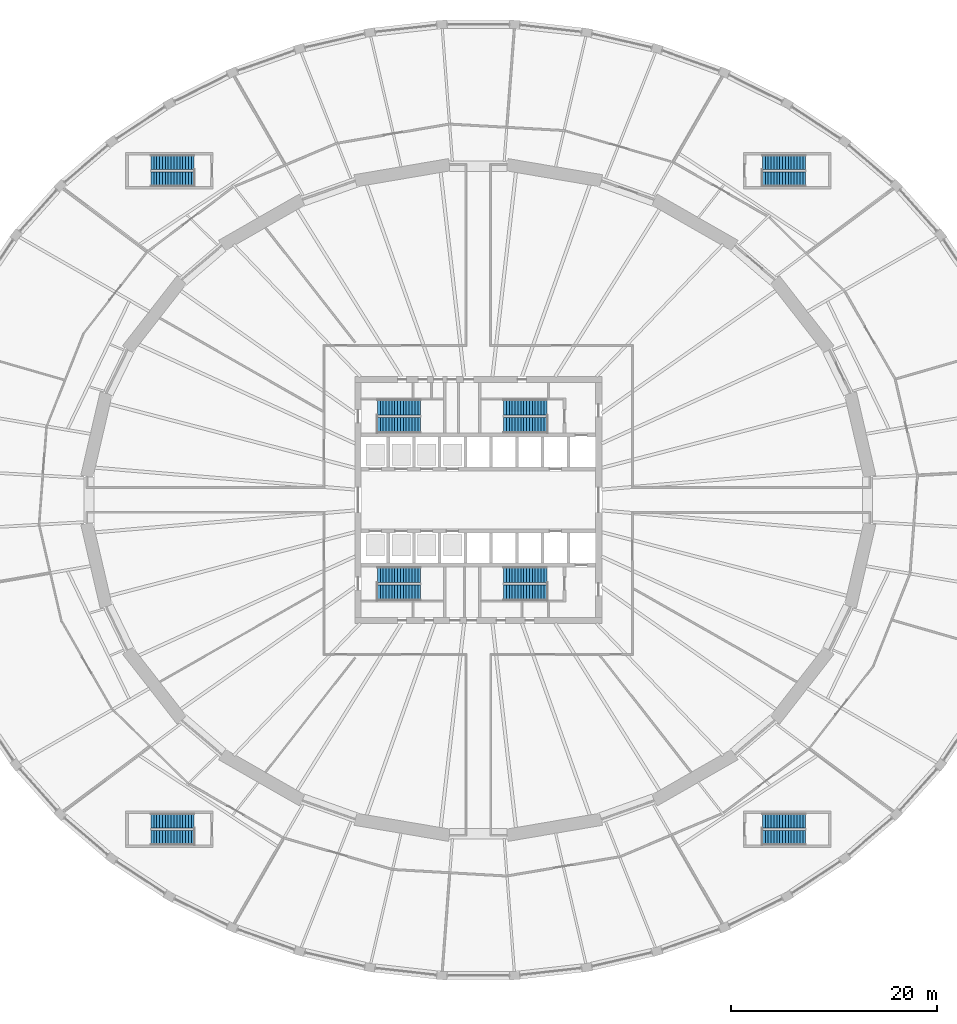
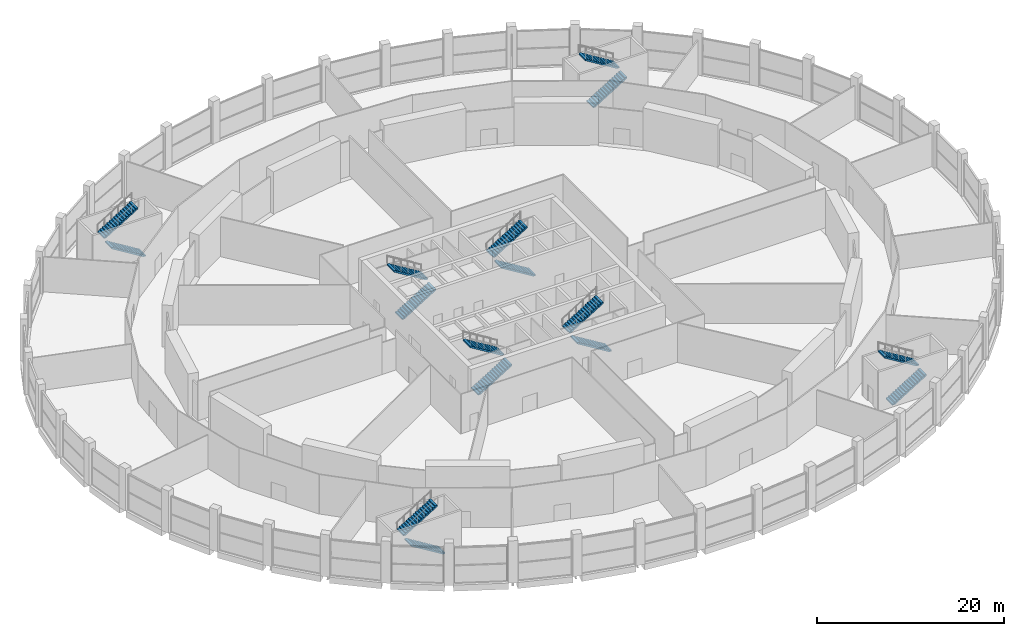
# One storey, part 26 of 29: 16 stair flights, 8 elements without a shape of their own.
"""IFC4 building model written with IfcOpenShell, lengths in metres."""

from ifc_helpers import new_model, si_unit, direction, frame, origin, place, context, subcontext, project, spatial, polyline, outline, extrude, material, type_object, element, aggregate, save


model = new_model("IFC4")

# Units and contexts
model_context = context("Model", 3, precision=1e-05, world=origin(), true_north=direction((0.0, 1.0)))
body_context = subcontext(model_context, "Body", "Model", "MODEL_VIEW")
ifc_project = project(units=[si_unit("LENGTHUNIT", "METRE"), si_unit("AREAUNIT", "SQUARE_METRE"), si_unit("VOLUMEUNIT", "CUBIC_METRE"), si_unit("PLANEANGLEUNIT", "RADIAN"), si_unit("MASSUNIT", "GRAM", prefix="KILO")], contexts=[model_context])

# Site, building, storey
site_placement = place(None, origin())
site = spatial("IfcSite", under=ifc_project, at=site_placement, CompositionType="ELEMENT")
building_placement = place(site_placement, origin())
building = spatial("IfcBuilding", under=site, at=building_placement, Name="Halqa Exchange Tower", CompositionType="ELEMENT")
storey_placement = place(building_placement, frame((0.0, 0.0, 7.0)))
storey = spatial("IfcBuildingStorey", under=building, at=storey_placement, Name="L01", CompositionType="ELEMENT", Elevation=7.0)

# Stair, stair flights
ifc_material = material(Name="Concrete C30/37", Category="concrete")
stair_type_1 = type_object("IfcStairType", Name="Exit stair 1400 wide", PredefinedType="HALF_TURN_STAIR", material=ifc_material)
stair_1_placement = place(storey_placement, origin())
stair_1 = element("IfcStair", 1, at=stair_1_placement, inside=storey, type_object=stair_type_1, Name="Exit stair PS1", PredefinedType="HALF_TURN_STAIR")
stair_flight_type_1 = type_object("IfcStairFlightType", Name="Stair flight 1400 wide", PredefinedType="STRAIGHT", material=ifc_material)
stair_flight_1_placement = place(storey_placement, frame((27.60009765625, 31.175048828125, 0.0), z_axis=(0.0, 0.0, 1.0), x_axis=(1.0, 0.0, 0.0)))
stair_flight_1 = element("IfcStairFlight", 2, at=stair_flight_1_placement, type_object=stair_flight_type_1, Name="PS1 flight 1", NumberOfRisers=16, NumberOfTreads=15, PredefinedType="STRAIGHT", RiserHeight=0.171875, TreadLength=0.28, context=body_context, shape_type="SweptSolid", body=[
    extrude(outline(polyline([(0.0, 0.0), (0.0, 0.171875), (0.280029296875, 0.171875), (0.280029296875, 0.34375), (0.56005859375, 0.34375), (0.56005859375, 0.515625), (0.840087890625, 0.515625), (0.840087890625, 0.6875), (1.1201171875, 0.6875), (1.1201171875, 0.859375), (1.39990234375, 0.859375), (1.39990234375, 1.03125), (1.679931640625, 1.03125), (1.679931640625, 1.203125), (1.9599609375, 1.203125), (1.9599609375, 1.375), (2.239990234375, 1.375), (2.239990234375, 1.546875), (2.52001953125, 1.546875), (2.52001953125, 1.71875), (2.800048828125, 1.71875), (2.800048828125, 1.890625), (3.080078125, 1.890625), (3.080078125, 2.0625), (3.360107421875, 2.0625), (3.360107421875, 2.234375), (3.639892578125, 2.234375), (3.639892578125, 2.40625), (3.919921875, 2.40625), (3.919921875, 2.578125), (4.199951171875, 2.578125), (4.199951171875, 2.75), (4.199951171875, 2.40234375), (0.28662109375, 0.0), (0.0, 0.0)])), frame((0.0, 0.699951171875, 0.0), z_axis=(0.0, -1.0, 0.0), x_axis=(1.0, 0.0, 0.0)), (0.0, 0.0, 1.0), 1.39990234375),
])
stair_flight_2_placement = place(storey_placement, frame((31.800048828125, 32.824951171875, 2.75), z_axis=(0.0, 0.0, 1.0), x_axis=(-1.0, 0.0, 0.0)))
stair_flight_2 = element("IfcStairFlight", 3, at=stair_flight_2_placement, type_object=stair_flight_type_1, Name="PS1 flight 2", NumberOfRisers=16, NumberOfTreads=15, PredefinedType="STRAIGHT", RiserHeight=0.171875, TreadLength=0.28, context=body_context, shape_type="SweptSolid", body=[
    extrude(outline(polyline([(0.0, 0.0), (0.0, 0.171875), (0.280029296875, 0.171875), (0.280029296875, 0.34375), (0.56005859375, 0.34375), (0.56005859375, 0.515625), (0.840087890625, 0.515625), (0.840087890625, 0.6875), (1.1201171875, 0.6875), (1.1201171875, 0.859375), (1.39990234375, 0.859375), (1.39990234375, 1.03125), (1.679931640625, 1.03125), (1.679931640625, 1.203125), (1.9599609375, 1.203125), (1.9599609375, 1.375), (2.239990234375, 1.375), (2.239990234375, 1.546875), (2.52001953125, 1.546875), (2.52001953125, 1.71875), (2.800048828125, 1.71875), (2.800048828125, 1.890625), (3.080078125, 1.890625), (3.080078125, 2.0625), (3.360107421875, 2.0625), (3.360107421875, 2.234375), (3.639892578125, 2.234375), (3.639892578125, 2.40625), (3.919921875, 2.40625), (3.919921875, 2.578125), (4.199951171875, 2.578125), (4.199951171875, 2.75), (4.199951171875, 2.40234375), (0.28662109375, 0.0), (0.0, 0.0)])), frame((0.0, 0.699951171875, 0.0), z_axis=(0.0, -1.0, 0.0), x_axis=(1.0, 0.0, 0.0)), (0.0, 0.0, 1.0), 1.39990234375),
])
aggregate(stair_1, [stair_flight_1, stair_flight_2])

stair_2_placement = place(storey_placement, origin())
stair_2 = element("IfcStair", 4, at=stair_2_placement, inside=storey, type_object=stair_type_1, Name="Exit stair PS2", PredefinedType="HALF_TURN_STAIR")
stair_flight_3_placement = place(storey_placement, frame((27.60009765625, -32.824951171875, 0.0), z_axis=(0.0, 0.0, 1.0), x_axis=(1.0, 0.0, 0.0)))
stair_flight_3 = element("IfcStairFlight", 5, at=stair_flight_3_placement, type_object=stair_flight_type_1, Name="PS2 flight 1", NumberOfRisers=16, NumberOfTreads=15, PredefinedType="STRAIGHT", RiserHeight=0.171875, TreadLength=0.28, context=body_context, shape_type="SweptSolid", body=[
    extrude(outline(polyline([(0.0, 0.0), (0.0, 0.171875), (0.280029296875, 0.171875), (0.280029296875, 0.34375), (0.56005859375, 0.34375), (0.56005859375, 0.515625), (0.840087890625, 0.515625), (0.840087890625, 0.6875), (1.1201171875, 0.6875), (1.1201171875, 0.859375), (1.39990234375, 0.859375), (1.39990234375, 1.03125), (1.679931640625, 1.03125), (1.679931640625, 1.203125), (1.9599609375, 1.203125), (1.9599609375, 1.375), (2.239990234375, 1.375), (2.239990234375, 1.546875), (2.52001953125, 1.546875), (2.52001953125, 1.71875), (2.800048828125, 1.71875), (2.800048828125, 1.890625), (3.080078125, 1.890625), (3.080078125, 2.0625), (3.360107421875, 2.0625), (3.360107421875, 2.234375), (3.639892578125, 2.234375), (3.639892578125, 2.40625), (3.919921875, 2.40625), (3.919921875, 2.578125), (4.199951171875, 2.578125), (4.199951171875, 2.75), (4.199951171875, 2.40234375), (0.28662109375, 0.0), (0.0, 0.0)])), frame((0.0, 0.699951171875, 0.0), z_axis=(0.0, -1.0, 0.0), x_axis=(1.0, 0.0, 0.0)), (0.0, 0.0, 1.0), 1.39990234375),
])
stair_flight_4_placement = place(storey_placement, frame((31.800048828125, -31.175048828125, 2.75), z_axis=(0.0, 0.0, 1.0), x_axis=(-1.0, 0.0, 0.0)))
stair_flight_4 = element("IfcStairFlight", 6, at=stair_flight_4_placement, type_object=stair_flight_type_1, Name="PS2 flight 2", NumberOfRisers=16, NumberOfTreads=15, PredefinedType="STRAIGHT", RiserHeight=0.171875, TreadLength=0.28, context=body_context, shape_type="SweptSolid", body=[
    extrude(outline(polyline([(0.0, 0.0), (0.0, 0.171875), (0.280029296875, 0.171875), (0.280029296875, 0.34375), (0.56005859375, 0.34375), (0.56005859375, 0.515625), (0.840087890625, 0.515625), (0.840087890625, 0.6875), (1.1201171875, 0.6875), (1.1201171875, 0.859375), (1.39990234375, 0.859375), (1.39990234375, 1.03125), (1.679931640625, 1.03125), (1.679931640625, 1.203125), (1.9599609375, 1.203125), (1.9599609375, 1.375), (2.239990234375, 1.375), (2.239990234375, 1.546875), (2.52001953125, 1.546875), (2.52001953125, 1.71875), (2.800048828125, 1.71875), (2.800048828125, 1.890625), (3.080078125, 1.890625), (3.080078125, 2.0625), (3.360107421875, 2.0625), (3.360107421875, 2.234375), (3.639892578125, 2.234375), (3.639892578125, 2.40625), (3.919921875, 2.40625), (3.919921875, 2.578125), (4.199951171875, 2.578125), (4.199951171875, 2.75), (4.199951171875, 2.40234375), (0.28662109375, 0.0), (0.0, 0.0)])), frame((0.0, 0.699951171875, 0.0), z_axis=(0.0, -1.0, 0.0), x_axis=(1.0, 0.0, 0.0)), (0.0, 0.0, 1.0), 1.39990234375),
])
aggregate(stair_2, [stair_flight_3, stair_flight_4])

stair_3_placement = place(storey_placement, origin())
stair_3 = element("IfcStair", 7, at=stair_3_placement, inside=storey, type_object=stair_type_1, Name="Exit stair PS3", PredefinedType="HALF_TURN_STAIR")
stair_flight_5_placement = place(storey_placement, frame((-27.60009765625, 31.175048828125, 0.0), z_axis=(0.0, 0.0, 1.0), x_axis=(-1.0, 0.0, 0.0)))
stair_flight_5 = element("IfcStairFlight", 8, at=stair_flight_5_placement, type_object=stair_flight_type_1, Name="PS3 flight 1", NumberOfRisers=16, NumberOfTreads=15, PredefinedType="STRAIGHT", RiserHeight=0.171875, TreadLength=0.28, context=body_context, shape_type="SweptSolid", body=[
    extrude(outline(polyline([(0.0, 0.0), (0.0, 0.171875), (0.280029296875, 0.171875), (0.280029296875, 0.34375), (0.56005859375, 0.34375), (0.56005859375, 0.515625), (0.840087890625, 0.515625), (0.840087890625, 0.6875), (1.1201171875, 0.6875), (1.1201171875, 0.859375), (1.39990234375, 0.859375), (1.39990234375, 1.03125), (1.679931640625, 1.03125), (1.679931640625, 1.203125), (1.9599609375, 1.203125), (1.9599609375, 1.375), (2.239990234375, 1.375), (2.239990234375, 1.546875), (2.52001953125, 1.546875), (2.52001953125, 1.71875), (2.800048828125, 1.71875), (2.800048828125, 1.890625), (3.080078125, 1.890625), (3.080078125, 2.0625), (3.360107421875, 2.0625), (3.360107421875, 2.234375), (3.639892578125, 2.234375), (3.639892578125, 2.40625), (3.919921875, 2.40625), (3.919921875, 2.578125), (4.199951171875, 2.578125), (4.199951171875, 2.75), (4.199951171875, 2.40234375), (0.28662109375, 0.0), (0.0, 0.0)])), frame((0.0, 0.699951171875, 0.0), z_axis=(0.0, -1.0, 0.0), x_axis=(1.0, 0.0, 0.0)), (0.0, 0.0, 1.0), 1.39990234375),
])
stair_flight_6_placement = place(storey_placement, frame((-31.800048828125, 32.824951171875, 2.75), z_axis=(0.0, 0.0, 1.0), x_axis=(1.0, 0.0, 0.0)))
stair_flight_6 = element("IfcStairFlight", 9, at=stair_flight_6_placement, type_object=stair_flight_type_1, Name="PS3 flight 2", NumberOfRisers=16, NumberOfTreads=15, PredefinedType="STRAIGHT", RiserHeight=0.171875, TreadLength=0.28, context=body_context, shape_type="SweptSolid", body=[
    extrude(outline(polyline([(0.0, 0.0), (0.0, 0.171875), (0.280029296875, 0.171875), (0.280029296875, 0.34375), (0.56005859375, 0.34375), (0.56005859375, 0.515625), (0.840087890625, 0.515625), (0.840087890625, 0.6875), (1.1201171875, 0.6875), (1.1201171875, 0.859375), (1.39990234375, 0.859375), (1.39990234375, 1.03125), (1.679931640625, 1.03125), (1.679931640625, 1.203125), (1.9599609375, 1.203125), (1.9599609375, 1.375), (2.239990234375, 1.375), (2.239990234375, 1.546875), (2.52001953125, 1.546875), (2.52001953125, 1.71875), (2.800048828125, 1.71875), (2.800048828125, 1.890625), (3.080078125, 1.890625), (3.080078125, 2.0625), (3.360107421875, 2.0625), (3.360107421875, 2.234375), (3.639892578125, 2.234375), (3.639892578125, 2.40625), (3.919921875, 2.40625), (3.919921875, 2.578125), (4.199951171875, 2.578125), (4.199951171875, 2.75), (4.199951171875, 2.40234375), (0.28662109375, 0.0), (0.0, 0.0)])), frame((0.0, 0.699951171875, 0.0), z_axis=(0.0, -1.0, 0.0), x_axis=(1.0, 0.0, 0.0)), (0.0, 0.0, 1.0), 1.39990234375),
])
aggregate(stair_3, [stair_flight_5, stair_flight_6])

stair_4_placement = place(storey_placement, origin())
stair_4 = element("IfcStair", 10, at=stair_4_placement, inside=storey, type_object=stair_type_1, Name="Exit stair PS4", PredefinedType="HALF_TURN_STAIR")
stair_flight_7_placement = place(storey_placement, frame((-27.60009765625, -32.824951171875, 0.0), z_axis=(0.0, 0.0, 1.0), x_axis=(-1.0, 0.0, 0.0)))
stair_flight_7 = element("IfcStairFlight", 11, at=stair_flight_7_placement, type_object=stair_flight_type_1, Name="PS4 flight 1", NumberOfRisers=16, NumberOfTreads=15, PredefinedType="STRAIGHT", RiserHeight=0.171875, TreadLength=0.28, context=body_context, shape_type="SweptSolid", body=[
    extrude(outline(polyline([(0.0, 0.0), (0.0, 0.171875), (0.280029296875, 0.171875), (0.280029296875, 0.34375), (0.56005859375, 0.34375), (0.56005859375, 0.515625), (0.840087890625, 0.515625), (0.840087890625, 0.6875), (1.1201171875, 0.6875), (1.1201171875, 0.859375), (1.39990234375, 0.859375), (1.39990234375, 1.03125), (1.679931640625, 1.03125), (1.679931640625, 1.203125), (1.9599609375, 1.203125), (1.9599609375, 1.375), (2.239990234375, 1.375), (2.239990234375, 1.546875), (2.52001953125, 1.546875), (2.52001953125, 1.71875), (2.800048828125, 1.71875), (2.800048828125, 1.890625), (3.080078125, 1.890625), (3.080078125, 2.0625), (3.360107421875, 2.0625), (3.360107421875, 2.234375), (3.639892578125, 2.234375), (3.639892578125, 2.40625), (3.919921875, 2.40625), (3.919921875, 2.578125), (4.199951171875, 2.578125), (4.199951171875, 2.75), (4.199951171875, 2.40234375), (0.28662109375, 0.0), (0.0, 0.0)])), frame((0.0, 0.699951171875, 0.0), z_axis=(0.0, -1.0, 0.0), x_axis=(1.0, 0.0, 0.0)), (0.0, 0.0, 1.0), 1.39990234375),
])
stair_flight_8_placement = place(storey_placement, frame((-31.800048828125, -31.175048828125, 2.75), z_axis=(0.0, 0.0, 1.0), x_axis=(1.0, 0.0, 0.0)))
stair_flight_8 = element("IfcStairFlight", 12, at=stair_flight_8_placement, type_object=stair_flight_type_1, Name="PS4 flight 2", NumberOfRisers=16, NumberOfTreads=15, PredefinedType="STRAIGHT", RiserHeight=0.171875, TreadLength=0.28, context=body_context, shape_type="SweptSolid", body=[
    extrude(outline(polyline([(0.0, 0.0), (0.0, 0.171875), (0.280029296875, 0.171875), (0.280029296875, 0.34375), (0.56005859375, 0.34375), (0.56005859375, 0.515625), (0.840087890625, 0.515625), (0.840087890625, 0.6875), (1.1201171875, 0.6875), (1.1201171875, 0.859375), (1.39990234375, 0.859375), (1.39990234375, 1.03125), (1.679931640625, 1.03125), (1.679931640625, 1.203125), (1.9599609375, 1.203125), (1.9599609375, 1.375), (2.239990234375, 1.375), (2.239990234375, 1.546875), (2.52001953125, 1.546875), (2.52001953125, 1.71875), (2.800048828125, 1.71875), (2.800048828125, 1.890625), (3.080078125, 1.890625), (3.080078125, 2.0625), (3.360107421875, 2.0625), (3.360107421875, 2.234375), (3.639892578125, 2.234375), (3.639892578125, 2.40625), (3.919921875, 2.40625), (3.919921875, 2.578125), (4.199951171875, 2.578125), (4.199951171875, 2.75), (4.199951171875, 2.40234375), (0.28662109375, 0.0), (0.0, 0.0)])), frame((0.0, 0.699951171875, 0.0), z_axis=(0.0, -1.0, 0.0), x_axis=(1.0, 0.0, 0.0)), (0.0, 0.0, 1.0), 1.39990234375),
])
aggregate(stair_4, [stair_flight_7, stair_flight_8])

stair_type_2 = type_object("IfcStairType", Name="Exit stair 1500 wide", PredefinedType="HALF_TURN_STAIR", material=ifc_material)
stair_5_placement = place(storey_placement, origin())
stair_5 = element("IfcStair", 13, at=stair_5_placement, inside=storey, type_object=stair_type_2, Name="Exit stair ST1", PredefinedType="HALF_TURN_STAIR")
stair_flight_type_2 = type_object("IfcStairFlightType", Name="Stair flight 1500 wide", PredefinedType="STRAIGHT", material=ifc_material)
stair_flight_9_placement = place(storey_placement, frame((-9.800048828125, 7.25, 0.0), z_axis=(0.0, 0.0, 1.0), x_axis=(1.0, 0.0, 0.0)))
stair_flight_9 = element("IfcStairFlight", 14, at=stair_flight_9_placement, type_object=stair_flight_type_2, Name="ST1 flight 1", NumberOfRisers=16, NumberOfTreads=15, PredefinedType="STRAIGHT", RiserHeight=0.171875, TreadLength=0.28, context=body_context, shape_type="SweptSolid", body=[
    extrude(outline(polyline([(0.0, 0.0), (0.0, 0.171875), (0.280029296875, 0.171875), (0.280029296875, 0.34375), (0.56005859375, 0.34375), (0.56005859375, 0.515625), (0.840087890625, 0.515625), (0.840087890625, 0.6875), (1.1201171875, 0.6875), (1.1201171875, 0.859375), (1.39990234375, 0.859375), (1.39990234375, 1.03125), (1.679931640625, 1.03125), (1.679931640625, 1.203125), (1.9599609375, 1.203125), (1.9599609375, 1.375), (2.239990234375, 1.375), (2.239990234375, 1.546875), (2.52001953125, 1.546875), (2.52001953125, 1.71875), (2.800048828125, 1.71875), (2.800048828125, 1.890625), (3.080078125, 1.890625), (3.080078125, 2.0625), (3.360107421875, 2.0625), (3.360107421875, 2.234375), (3.639892578125, 2.234375), (3.639892578125, 2.40625), (3.919921875, 2.40625), (3.919921875, 2.578125), (4.199951171875, 2.578125), (4.199951171875, 2.75), (4.199951171875, 2.40234375), (0.28662109375, 0.0), (0.0, 0.0)])), frame((0.0, 0.75, 0.0), z_axis=(0.0, -1.0, 0.0), x_axis=(1.0, 0.0, 0.0)), (0.0, 0.0, 1.0), 1.5),
])
stair_flight_10_placement = place(storey_placement, frame((-5.60009765625, 9.0, 2.75), z_axis=(0.0, 0.0, 1.0), x_axis=(-1.0, 0.0, 0.0)))
stair_flight_10 = element("IfcStairFlight", 15, at=stair_flight_10_placement, type_object=stair_flight_type_2, Name="ST1 flight 2", NumberOfRisers=16, NumberOfTreads=15, PredefinedType="STRAIGHT", RiserHeight=0.171875, TreadLength=0.28, context=body_context, shape_type="SweptSolid", body=[
    extrude(outline(polyline([(0.0, 0.0), (0.0, 0.171875), (0.280029296875, 0.171875), (0.280029296875, 0.34375), (0.56005859375, 0.34375), (0.56005859375, 0.515625), (0.840087890625, 0.515625), (0.840087890625, 0.6875), (1.1201171875, 0.6875), (1.1201171875, 0.859375), (1.39990234375, 0.859375), (1.39990234375, 1.03125), (1.679931640625, 1.03125), (1.679931640625, 1.203125), (1.9599609375, 1.203125), (1.9599609375, 1.375), (2.239990234375, 1.375), (2.239990234375, 1.546875), (2.52001953125, 1.546875), (2.52001953125, 1.71875), (2.800048828125, 1.71875), (2.800048828125, 1.890625), (3.080078125, 1.890625), (3.080078125, 2.0625), (3.360107421875, 2.0625), (3.360107421875, 2.234375), (3.639892578125, 2.234375), (3.639892578125, 2.40625), (3.919921875, 2.40625), (3.919921875, 2.578125), (4.199951171875, 2.578125), (4.199951171875, 2.75), (4.199951171875, 2.40234375), (0.28662109375, 0.0), (0.0, 0.0)])), frame((0.0, 0.75, 0.0), z_axis=(0.0, -1.0, 0.0), x_axis=(1.0, 0.0, 0.0)), (0.0, 0.0, 1.0), 1.5),
])
aggregate(stair_5, [stair_flight_9, stair_flight_10])

stair_6_placement = place(storey_placement, origin())
stair_6 = element("IfcStair", 16, at=stair_6_placement, inside=storey, type_object=stair_type_2, Name="Exit stair ST2", PredefinedType="HALF_TURN_STAIR")
stair_flight_11_placement = place(storey_placement, frame((6.64990234375, 7.25, 0.0), z_axis=(0.0, 0.0, 1.0), x_axis=(-1.0, 0.0, 0.0)))
stair_flight_11 = element("IfcStairFlight", 17, at=stair_flight_11_placement, type_object=stair_flight_type_2, Name="ST2 flight 1", NumberOfRisers=16, NumberOfTreads=15, PredefinedType="STRAIGHT", RiserHeight=0.171875, TreadLength=0.28, context=body_context, shape_type="SweptSolid", body=[
    extrude(outline(polyline([(0.0, 0.0), (0.0, 0.171875), (0.280029296875, 0.171875), (0.280029296875, 0.34375), (0.56005859375, 0.34375), (0.56005859375, 0.515625), (0.840087890625, 0.515625), (0.840087890625, 0.6875), (1.1201171875, 0.6875), (1.1201171875, 0.859375), (1.39990234375, 0.859375), (1.39990234375, 1.03125), (1.679931640625, 1.03125), (1.679931640625, 1.203125), (1.9599609375, 1.203125), (1.9599609375, 1.375), (2.239990234375, 1.375), (2.239990234375, 1.546875), (2.52001953125, 1.546875), (2.52001953125, 1.71875), (2.800048828125, 1.71875), (2.800048828125, 1.890625), (3.080078125, 1.890625), (3.080078125, 2.0625), (3.360107421875, 2.0625), (3.360107421875, 2.234375), (3.639892578125, 2.234375), (3.639892578125, 2.40625), (3.919921875, 2.40625), (3.919921875, 2.578125), (4.199951171875, 2.578125), (4.199951171875, 2.75), (4.199951171875, 2.40234375), (0.28662109375, 0.0), (0.0, 0.0)])), frame((0.0, 0.75, 0.0), z_axis=(0.0, -1.0, 0.0), x_axis=(1.0, 0.0, 0.0)), (0.0, 0.0, 1.0), 1.5),
])
stair_flight_12_placement = place(storey_placement, frame((2.449951171875, 9.0, 2.75), z_axis=(0.0, 0.0, 1.0), x_axis=(1.0, 0.0, 0.0)))
stair_flight_12 = element("IfcStairFlight", 18, at=stair_flight_12_placement, type_object=stair_flight_type_2, Name="ST2 flight 2", NumberOfRisers=16, NumberOfTreads=15, PredefinedType="STRAIGHT", RiserHeight=0.171875, TreadLength=0.28, context=body_context, shape_type="SweptSolid", body=[
    extrude(outline(polyline([(0.0, 0.0), (0.0, 0.171875), (0.280029296875, 0.171875), (0.280029296875, 0.34375), (0.56005859375, 0.34375), (0.56005859375, 0.515625), (0.840087890625, 0.515625), (0.840087890625, 0.6875), (1.1201171875, 0.6875), (1.1201171875, 0.859375), (1.39990234375, 0.859375), (1.39990234375, 1.03125), (1.679931640625, 1.03125), (1.679931640625, 1.203125), (1.9599609375, 1.203125), (1.9599609375, 1.375), (2.239990234375, 1.375), (2.239990234375, 1.546875), (2.52001953125, 1.546875), (2.52001953125, 1.71875), (2.800048828125, 1.71875), (2.800048828125, 1.890625), (3.080078125, 1.890625), (3.080078125, 2.0625), (3.360107421875, 2.0625), (3.360107421875, 2.234375), (3.639892578125, 2.234375), (3.639892578125, 2.40625), (3.919921875, 2.40625), (3.919921875, 2.578125), (4.199951171875, 2.578125), (4.199951171875, 2.75), (4.199951171875, 2.40234375), (0.28662109375, 0.0), (0.0, 0.0)])), frame((0.0, 0.75, 0.0), z_axis=(0.0, -1.0, 0.0), x_axis=(1.0, 0.0, 0.0)), (0.0, 0.0, 1.0), 1.5),
])
aggregate(stair_6, [stair_flight_11, stair_flight_12])

stair_7_placement = place(storey_placement, origin())
stair_7 = element("IfcStair", 19, at=stair_7_placement, inside=storey, type_object=stair_type_2, Name="Exit stair ST3", PredefinedType="HALF_TURN_STAIR")
stair_flight_13_placement = place(storey_placement, frame((-9.800048828125, -9.0, 0.0), z_axis=(0.0, 0.0, 1.0), x_axis=(1.0, 0.0, 0.0)))
stair_flight_13 = element("IfcStairFlight", 20, at=stair_flight_13_placement, type_object=stair_flight_type_2, Name="ST3 flight 1", NumberOfRisers=16, NumberOfTreads=15, PredefinedType="STRAIGHT", RiserHeight=0.171875, TreadLength=0.28, context=body_context, shape_type="SweptSolid", body=[
    extrude(outline(polyline([(0.0, 0.0), (0.0, 0.171875), (0.280029296875, 0.171875), (0.280029296875, 0.34375), (0.56005859375, 0.34375), (0.56005859375, 0.515625), (0.840087890625, 0.515625), (0.840087890625, 0.6875), (1.1201171875, 0.6875), (1.1201171875, 0.859375), (1.39990234375, 0.859375), (1.39990234375, 1.03125), (1.679931640625, 1.03125), (1.679931640625, 1.203125), (1.9599609375, 1.203125), (1.9599609375, 1.375), (2.239990234375, 1.375), (2.239990234375, 1.546875), (2.52001953125, 1.546875), (2.52001953125, 1.71875), (2.800048828125, 1.71875), (2.800048828125, 1.890625), (3.080078125, 1.890625), (3.080078125, 2.0625), (3.360107421875, 2.0625), (3.360107421875, 2.234375), (3.639892578125, 2.234375), (3.639892578125, 2.40625), (3.919921875, 2.40625), (3.919921875, 2.578125), (4.199951171875, 2.578125), (4.199951171875, 2.75), (4.199951171875, 2.40234375), (0.28662109375, 0.0), (0.0, 0.0)])), frame((0.0, 0.75, 0.0), z_axis=(0.0, -1.0, 0.0), x_axis=(1.0, 0.0, 0.0)), (0.0, 0.0, 1.0), 1.5),
])
stair_flight_14_placement = place(storey_placement, frame((-5.60009765625, -7.25, 2.75), z_axis=(0.0, 0.0, 1.0), x_axis=(-1.0, 0.0, 0.0)))
stair_flight_14 = element("IfcStairFlight", 21, at=stair_flight_14_placement, type_object=stair_flight_type_2, Name="ST3 flight 2", NumberOfRisers=16, NumberOfTreads=15, PredefinedType="STRAIGHT", RiserHeight=0.171875, TreadLength=0.28, context=body_context, shape_type="SweptSolid", body=[
    extrude(outline(polyline([(0.0, 0.0), (0.0, 0.171875), (0.280029296875, 0.171875), (0.280029296875, 0.34375), (0.56005859375, 0.34375), (0.56005859375, 0.515625), (0.840087890625, 0.515625), (0.840087890625, 0.6875), (1.1201171875, 0.6875), (1.1201171875, 0.859375), (1.39990234375, 0.859375), (1.39990234375, 1.03125), (1.679931640625, 1.03125), (1.679931640625, 1.203125), (1.9599609375, 1.203125), (1.9599609375, 1.375), (2.239990234375, 1.375), (2.239990234375, 1.546875), (2.52001953125, 1.546875), (2.52001953125, 1.71875), (2.800048828125, 1.71875), (2.800048828125, 1.890625), (3.080078125, 1.890625), (3.080078125, 2.0625), (3.360107421875, 2.0625), (3.360107421875, 2.234375), (3.639892578125, 2.234375), (3.639892578125, 2.40625), (3.919921875, 2.40625), (3.919921875, 2.578125), (4.199951171875, 2.578125), (4.199951171875, 2.75), (4.199951171875, 2.40234375), (0.28662109375, 0.0), (0.0, 0.0)])), frame((0.0, 0.75, 0.0), z_axis=(0.0, -1.0, 0.0), x_axis=(1.0, 0.0, 0.0)), (0.0, 0.0, 1.0), 1.5),
])
aggregate(stair_7, [stair_flight_13, stair_flight_14])

stair_8_placement = place(storey_placement, origin())
stair_8 = element("IfcStair", 22, at=stair_8_placement, inside=storey, type_object=stair_type_2, Name="Exit stair ST4", PredefinedType="HALF_TURN_STAIR")
stair_flight_15_placement = place(storey_placement, frame((6.64990234375, -9.0, 0.0), z_axis=(0.0, 0.0, 1.0), x_axis=(-1.0, 0.0, 0.0)))
stair_flight_15 = element("IfcStairFlight", 23, at=stair_flight_15_placement, type_object=stair_flight_type_2, Name="ST4 flight 1", NumberOfRisers=16, NumberOfTreads=15, PredefinedType="STRAIGHT", RiserHeight=0.171875, TreadLength=0.28, context=body_context, shape_type="SweptSolid", body=[
    extrude(outline(polyline([(0.0, 0.0), (0.0, 0.171875), (0.280029296875, 0.171875), (0.280029296875, 0.34375), (0.56005859375, 0.34375), (0.56005859375, 0.515625), (0.840087890625, 0.515625), (0.840087890625, 0.6875), (1.1201171875, 0.6875), (1.1201171875, 0.859375), (1.39990234375, 0.859375), (1.39990234375, 1.03125), (1.679931640625, 1.03125), (1.679931640625, 1.203125), (1.9599609375, 1.203125), (1.9599609375, 1.375), (2.239990234375, 1.375), (2.239990234375, 1.546875), (2.52001953125, 1.546875), (2.52001953125, 1.71875), (2.800048828125, 1.71875), (2.800048828125, 1.890625), (3.080078125, 1.890625), (3.080078125, 2.0625), (3.360107421875, 2.0625), (3.360107421875, 2.234375), (3.639892578125, 2.234375), (3.639892578125, 2.40625), (3.919921875, 2.40625), (3.919921875, 2.578125), (4.199951171875, 2.578125), (4.199951171875, 2.75), (4.199951171875, 2.40234375), (0.28662109375, 0.0), (0.0, 0.0)])), frame((0.0, 0.75, 0.0), z_axis=(0.0, -1.0, 0.0), x_axis=(1.0, 0.0, 0.0)), (0.0, 0.0, 1.0), 1.5),
])
stair_flight_16_placement = place(storey_placement, frame((2.449951171875, -7.25, 2.75), z_axis=(0.0, 0.0, 1.0), x_axis=(1.0, 0.0, 0.0)))
stair_flight_16 = element("IfcStairFlight", 24, at=stair_flight_16_placement, type_object=stair_flight_type_2, Name="ST4 flight 2", NumberOfRisers=16, NumberOfTreads=15, PredefinedType="STRAIGHT", RiserHeight=0.171875, TreadLength=0.28, context=body_context, shape_type="SweptSolid", body=[
    extrude(outline(polyline([(0.0, 0.0), (0.0, 0.171875), (0.280029296875, 0.171875), (0.280029296875, 0.34375), (0.56005859375, 0.34375), (0.56005859375, 0.515625), (0.840087890625, 0.515625), (0.840087890625, 0.6875), (1.1201171875, 0.6875), (1.1201171875, 0.859375), (1.39990234375, 0.859375), (1.39990234375, 1.03125), (1.679931640625, 1.03125), (1.679931640625, 1.203125), (1.9599609375, 1.203125), (1.9599609375, 1.375), (2.239990234375, 1.375), (2.239990234375, 1.546875), (2.52001953125, 1.546875), (2.52001953125, 1.71875), (2.800048828125, 1.71875), (2.800048828125, 1.890625), (3.080078125, 1.890625), (3.080078125, 2.0625), (3.360107421875, 2.0625), (3.360107421875, 2.234375), (3.639892578125, 2.234375), (3.639892578125, 2.40625), (3.919921875, 2.40625), (3.919921875, 2.578125), (4.199951171875, 2.578125), (4.199951171875, 2.75), (4.199951171875, 2.40234375), (0.28662109375, 0.0), (0.0, 0.0)])), frame((0.0, 0.75, 0.0), z_axis=(0.0, -1.0, 0.0), x_axis=(1.0, 0.0, 0.0)), (0.0, 0.0, 1.0), 1.5),
])
aggregate(stair_8, [stair_flight_15, stair_flight_16])

save(model, "model.ifc")
